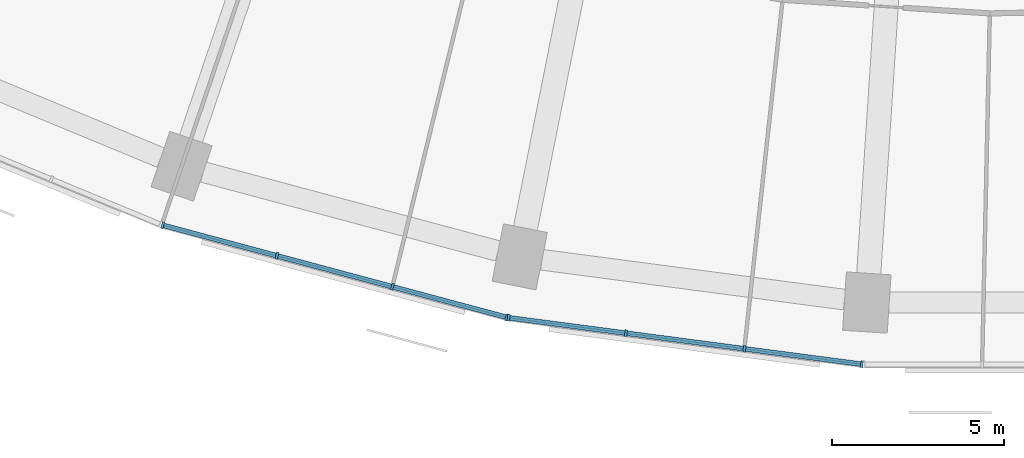
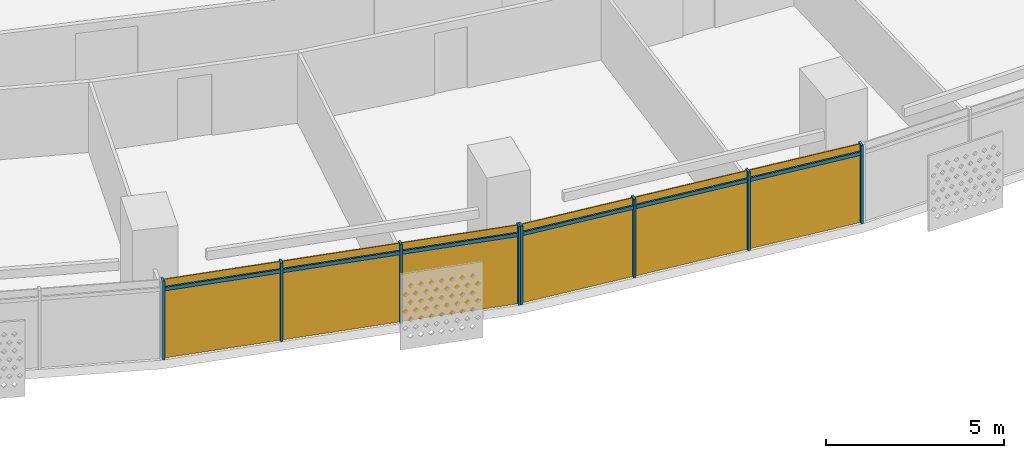
# One storey, part 19 of 31: 14 members, 2 curtain walls.
"""IFC4 building model written with IfcOpenShell, lengths in metres."""

from ifc_helpers import new_model, si_unit, direction, frame, origin, origin_2d, place, context, subcontext, project, spatial, rectangle, extrude, material, material_profile, profile_set, type_object, element, aggregate, save


model = new_model("IFC4")

# Units and contexts
model_context = context("Model", 3, precision=1e-05, world=origin(), true_north=direction((0.0, 1.0)))
body_context = subcontext(model_context, "Body", "Model", "MODEL_VIEW")
ifc_project = project(units=[si_unit("LENGTHUNIT", "METRE"), si_unit("AREAUNIT", "SQUARE_METRE"), si_unit("VOLUMEUNIT", "CUBIC_METRE"), si_unit("PLANEANGLEUNIT", "RADIAN"), si_unit("MASSUNIT", "GRAM", prefix="KILO")], contexts=[model_context])

# Member
ifc_material = material(Name="Aluminium 6063-T6 anodised", Category="aluminium")
ifc_material_profile_1 = material_profile(ifc_material, rectangle(XDim=0.199951171875, YDim=0.070068359375, at=origin_2d()))
ifc_profile_set_1 = profile_set([ifc_material_profile_1], Name="Aluminium 6063-T6 anodised")
member_type_1 = type_object("IfcMemberType", Name="Mullion 70 x 200 aluminium", PredefinedType="MULLION", material=ifc_profile_set_1)
site_placement = place(None, origin())
building_placement = place(site_placement, origin())
storey_placement = place(building_placement, frame((0.0, 0.0, 51.89990234375)))
member_1_placement = place(storey_placement, frame((-25.54296875, -75.33544921875, 0.0), z_axis=(0.0, 0.0, 1.0), x_axis=(0.258819045103, 0.965925826289, 0.0)))
member_1 = element("IfcMember", 1, at=member_1_placement, type_object=member_type_1, Name="e-cw1-L09-out06/M00", PredefinedType="MULLION", context=body_context, shape_type="SweptSolid", body=[
    extrude(rectangle(XDim=0.199951171875, YDim=0.070068359375, at=origin_2d()), origin(), (0.0, 0.0, 1.0), 2.7001953125),
])

member_2_placement = place(storey_placement, frame((-22.22216796875, -76.225341796875, 0.0), z_axis=(0.0, 0.0, 1.0), x_axis=(0.258819045103, 0.965925826289, 0.0)))
member_2 = element("IfcMember", 2, at=member_2_placement, type_object=member_type_1, Name="e-cw1-L09-out06/M01", PredefinedType="MULLION", context=body_context, shape_type="SweptSolid", body=[
    extrude(rectangle(XDim=0.199951171875, YDim=0.070068359375, at=origin_2d()), origin(), (0.0, 0.0, 1.0), 2.7001953125),
])

member_3_placement = place(storey_placement, frame((-18.86767578125, -77.1240234375, 0.0), z_axis=(0.0, 0.0, 1.0), x_axis=(0.258819045103, 0.965925826289, 0.0)))
member_3 = element("IfcMember", 3, at=member_3_placement, type_object=member_type_1, Name="e-cw1-L09-out06/M02", PredefinedType="MULLION", context=body_context, shape_type="SweptSolid", body=[
    extrude(rectangle(XDim=0.199951171875, YDim=0.070068359375, at=origin_2d()), origin(), (0.0, 0.0, 1.0), 2.7001953125),
])

member_4_placement = place(storey_placement, frame((-15.546875, -78.013916015625, 0.0), z_axis=(0.0, 0.0, 1.0), x_axis=(0.258819045103, 0.965925826289, 0.0)))
member_4 = element("IfcMember", 4, at=member_4_placement, type_object=member_type_1, Name="e-cw1-L09-out06/M03", PredefinedType="MULLION", context=body_context, shape_type="SweptSolid", body=[
    extrude(rectangle(XDim=0.199951171875, YDim=0.070068359375, at=origin_2d()), origin(), (0.0, 0.0, 1.0), 2.7001953125),
])

member_5_placement = place(storey_placement, frame((-15.4912109375, -78.02490234375, 0.0), z_axis=(0.0, 0.0, 1.0), x_axis=(0.13052619222, 0.991444861374, 0.0)))
member_5 = element("IfcMember", 5, at=member_5_placement, type_object=member_type_1, Name="e-cw1-L09-out07/M00", PredefinedType="MULLION", context=body_context, shape_type="SweptSolid", body=[
    extrude(rectangle(XDim=0.199951171875, YDim=0.070068359375, at=origin_2d()), origin(), (0.0, 0.0, 1.0), 2.7001953125),
])

member_6_placement = place(storey_placement, frame((-12.082763671875, -78.4736328125, 0.0), z_axis=(0.0, 0.0, 1.0), x_axis=(0.13052619222, 0.991444861374, 0.0)))
member_6 = element("IfcMember", 6, at=member_6_placement, type_object=member_type_1, Name="e-cw1-L09-out07/M01", PredefinedType="MULLION", context=body_context, shape_type="SweptSolid", body=[
    extrude(rectangle(XDim=0.199951171875, YDim=0.070068359375, at=origin_2d()), origin(), (0.0, 0.0, 1.0), 2.7001953125),
])

member_7_placement = place(storey_placement, frame((-8.639404296875, -78.927001953125, 0.0), z_axis=(0.0, 0.0, 1.0), x_axis=(0.13052619222, 0.991444861374, 0.0)))
member_7 = element("IfcMember", 7, at=member_7_placement, type_object=member_type_1, Name="e-cw1-L09-out07/M02", PredefinedType="MULLION", context=body_context, shape_type="SweptSolid", body=[
    extrude(rectangle(XDim=0.199951171875, YDim=0.070068359375, at=origin_2d()), origin(), (0.0, 0.0, 1.0), 2.7001953125),
])

member_8_placement = place(storey_placement, frame((-5.23095703125, -79.375732421875, 0.0), z_axis=(0.0, 0.0, 1.0), x_axis=(0.13052619222, 0.991444861374, 0.0)))
member_8 = element("IfcMember", 8, at=member_8_placement, type_object=member_type_1, Name="e-cw1-L09-out07/M03", PredefinedType="MULLION", context=body_context, shape_type="SweptSolid", body=[
    extrude(rectangle(XDim=0.199951171875, YDim=0.070068359375, at=origin_2d()), origin(), (0.0, 0.0, 1.0), 2.7001953125),
])

ifc_material_profile_2 = material_profile(ifc_material, rectangle(XDim=0.139892578125, YDim=0.1201171875, at=origin_2d()))
ifc_profile_set_2 = profile_set([ifc_material_profile_2], Name="Aluminium 6063-T6 anodised")
member_type_2 = type_object("IfcMemberType", Name="Transom 120 x 140 aluminium", PredefinedType="USERDEFINED", material=ifc_profile_set_2)
member_9_placement = place(storey_placement, frame((-25.50927734375, -75.344482421875, 2.400146484375), z_axis=(0.965915368772, -0.258858069935, 0.0), x_axis=(0.258858069935, 0.965915368772, 0.0)))
member_9 = element("IfcMember", 9, at=member_9_placement, type_object=member_type_2, Name="e-cw1-L09-out06/T00", ObjectType="TRANSOM", PredefinedType="USERDEFINED", context=body_context, shape_type="SweptSolid", body=[
    extrude(rectangle(XDim=0.139892578125, YDim=0.1201171875, at=origin_2d()), origin(), (0.0, 0.0, 1.0), 3.367919921875),
])

member_10_placement = place(storey_placement, frame((-22.1884765625, -76.234375, 2.400146484375), z_axis=(0.965937804901, -0.258774336176, 0.0), x_axis=(0.258774336176, 0.965937804901, 0.0)))
member_10 = element("IfcMember", 10, at=member_10_placement, type_object=member_type_2, Name="e-cw1-L09-out06/T01", ObjectType="TRANSOM", PredefinedType="USERDEFINED", context=body_context, shape_type="SweptSolid", body=[
    extrude(rectangle(XDim=0.139892578125, YDim=0.1201171875, at=origin_2d()), origin(), (0.0, 0.0, 1.0), 3.403076171875),
])

member_11_placement = place(storey_placement, frame((-18.833740234375, -77.133056640625, 2.400146484375), z_axis=(0.965915368772, -0.258858069935, 0.0), x_axis=(0.258858069935, 0.965915368772, 0.0)))
member_11 = element("IfcMember", 11, at=member_11_placement, type_object=member_type_2, Name="e-cw1-L09-out06/T02", ObjectType="TRANSOM", PredefinedType="USERDEFINED", context=body_context, shape_type="SweptSolid", body=[
    extrude(rectangle(XDim=0.139892578125, YDim=0.1201171875, at=origin_2d()), origin(), (0.0, 0.0, 1.0), 3.367919921875),
])

member_12_placement = place(storey_placement, frame((-15.45654296875, -78.029541015625, 2.400146484375), z_axis=(0.9914412138, -0.130553895303, 0.0), x_axis=(0.130553895303, 0.9914412138, 0.0)))
member_12 = element("IfcMember", 12, at=member_12_placement, type_object=member_type_2, Name="e-cw1-L09-out07/T00", ObjectType="TRANSOM", PredefinedType="USERDEFINED", context=body_context, shape_type="SweptSolid", body=[
    extrude(rectangle(XDim=0.139892578125, YDim=0.1201171875, at=origin_2d()), origin(), (0.0, 0.0, 1.0), 3.367919921875),
])

member_13_placement = place(storey_placement, frame((-12.048095703125, -78.478271484375, 2.400146484375), z_axis=(0.991447700941, -0.130504621753, 0.0), x_axis=(0.130504621753, 0.991447700941, 0.0)))
member_13 = element("IfcMember", 13, at=member_13_placement, type_object=member_type_2, Name="e-cw1-L09-out07/T01", ObjectType="TRANSOM", PredefinedType="USERDEFINED", context=body_context, shape_type="SweptSolid", body=[
    extrude(rectangle(XDim=0.139892578125, YDim=0.1201171875, at=origin_2d()), origin(), (0.0, 0.0, 1.0), 3.40283203125),
])

member_14_placement = place(storey_placement, frame((-8.604736328125, -78.931640625, 2.400146484375), z_axis=(0.991450594138, -0.130482640159, 0.0), x_axis=(0.130482640159, 0.991450594138, 0.0)))
member_14 = element("IfcMember", 14, at=member_14_placement, type_object=member_type_2, Name="e-cw1-L09-out07/T02", ObjectType="TRANSOM", PredefinedType="USERDEFINED", context=body_context, shape_type="SweptSolid", body=[
    extrude(rectangle(XDim=0.139892578125, YDim=0.1201171875, at=origin_2d()), origin(), (0.0, 0.0, 1.0), 3.367919921875),
])

# Site, building, storey
site = spatial("IfcSite", under=ifc_project, at=site_placement, CompositionType="ELEMENT")
building = spatial("IfcBuilding", under=site, at=building_placement, Name="Qamariyya Broadcast Tower", CompositionType="ELEMENT")
storey = spatial("IfcBuildingStorey", under=building, at=storey_placement, Name="L09", CompositionType="ELEMENT", Elevation=51.89990234375)

# Curtain wall
curtain_wall_type = type_object("IfcCurtainWallType", Name="Unitised curtain wall, anodised aluminium", PredefinedType="NOTDEFINED", material=ifc_material)
curtain_wall_1_placement = place(storey_placement, origin())
curtain_wall_1 = element("IfcCurtainWall", 15, at=curtain_wall_1_placement, inside=storey, type_object=curtain_wall_type, Name="e-cw1-L09-out06", PredefinedType="NOTDEFINED", context=body_context, shape_type="SweptSolid", body=[
    extrude(rectangle(XDim=3.367919921875, YDim=0.031982421875, at=origin_2d()), frame((-23.882568359375, -75.7802734375, 0.0), x_axis=(0.965925039578, -0.258821981129, 0.0)), (0.0, 0.0, 1.0), 2.340087890625),
    extrude(rectangle(XDim=3.367919921875, YDim=0.031982421875, at=origin_2d()), frame((-23.882568359375, -75.7802734375, 2.460205078125), x_axis=(0.965925039578, -0.258821981129, 0.0)), (0.0, 0.0, 1.0), 0.239990234375),
    extrude(rectangle(XDim=3.40283203125, YDim=0.031982421875, at=origin_2d()), frame((-20.544921875, -76.6748046875, 0.0), x_axis=(0.965925039578, -0.258821981129, 0.0)), (0.0, 0.0, 1.0), 2.340087890625),
    extrude(rectangle(XDim=3.40283203125, YDim=0.031982421875, at=origin_2d()), frame((-20.544921875, -76.6748046875, 2.460205078125), x_axis=(0.965925039578, -0.258821981129, 0.0)), (0.0, 0.0, 1.0), 0.239990234375),
    extrude(rectangle(XDim=3.367919921875, YDim=0.031982421875, at=origin_2d()), frame((-17.207275390625, -77.569091796875, 0.0), x_axis=(0.965925039578, -0.258821981129, 0.0)), (0.0, 0.0, 1.0), 2.340087890625),
    extrude(rectangle(XDim=3.367919921875, YDim=0.031982421875, at=origin_2d()), frame((-17.207275390625, -77.569091796875, 2.460205078125), x_axis=(0.965925039578, -0.258821981129, 0.0)), (0.0, 0.0, 1.0), 0.239990234375),
])

aggregate(curtain_wall_1, [member_1, member_2, member_3, member_4, member_9, member_10, member_11])

curtain_wall_2_placement = place(storey_placement, origin())
curtain_wall_2 = element("IfcCurtainWall", 16, at=curtain_wall_2_placement, inside=storey, type_object=curtain_wall_type, Name="e-cw1-L09-out07", PredefinedType="NOTDEFINED", context=body_context, shape_type="SweptSolid", body=[
    extrude(rectangle(XDim=3.367919921875, YDim=0.031982421875, at=origin_2d()), frame((-13.786865234375, -78.24951171875, 0.0), x_axis=(0.991445519925, -0.130521189931, 0.0)), (0.0, 0.0, 1.0), 2.340087890625),
    extrude(rectangle(XDim=3.367919921875, YDim=0.031982421875, at=origin_2d()), frame((-13.786865234375, -78.24951171875, 2.460205078125), x_axis=(0.991445519925, -0.130521189931, 0.0)), (0.0, 0.0, 1.0), 0.239990234375),
    extrude(rectangle(XDim=3.40283203125, YDim=0.031982421875, at=origin_2d()), frame((-10.361083984375, -78.700439453125, 0.0), x_axis=(0.991445519925, -0.130521189931, 0.0)), (0.0, 0.0, 1.0), 2.340087890625),
    extrude(rectangle(XDim=3.40283203125, YDim=0.031982421875, at=origin_2d()), frame((-10.361083984375, -78.700439453125, 2.460205078125), x_axis=(0.991445519925, -0.130521189931, 0.0)), (0.0, 0.0, 1.0), 0.239990234375),
    extrude(rectangle(XDim=3.367919921875, YDim=0.031982421875, at=origin_2d()), frame((-6.935302734375, -79.1513671875, 0.0), x_axis=(0.991445519925, -0.130521189931, 0.0)), (0.0, 0.0, 1.0), 2.340087890625),
    extrude(rectangle(XDim=3.367919921875, YDim=0.031982421875, at=origin_2d()), frame((-6.935302734375, -79.1513671875, 2.460205078125), x_axis=(0.991445519925, -0.130521189931, 0.0)), (0.0, 0.0, 1.0), 0.239990234375),
])

aggregate(curtain_wall_2, [member_5, member_6, member_7, member_8, member_12, member_13, member_14])

save(model, "model.ifc")
